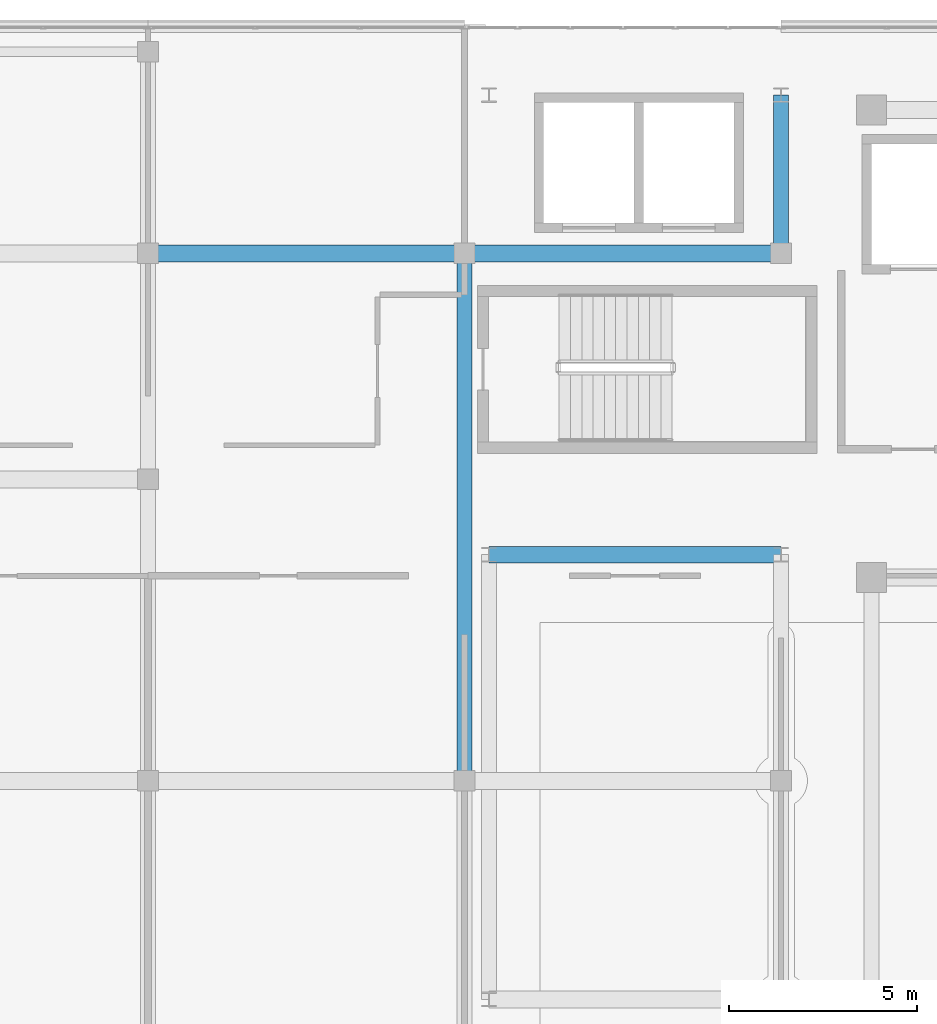
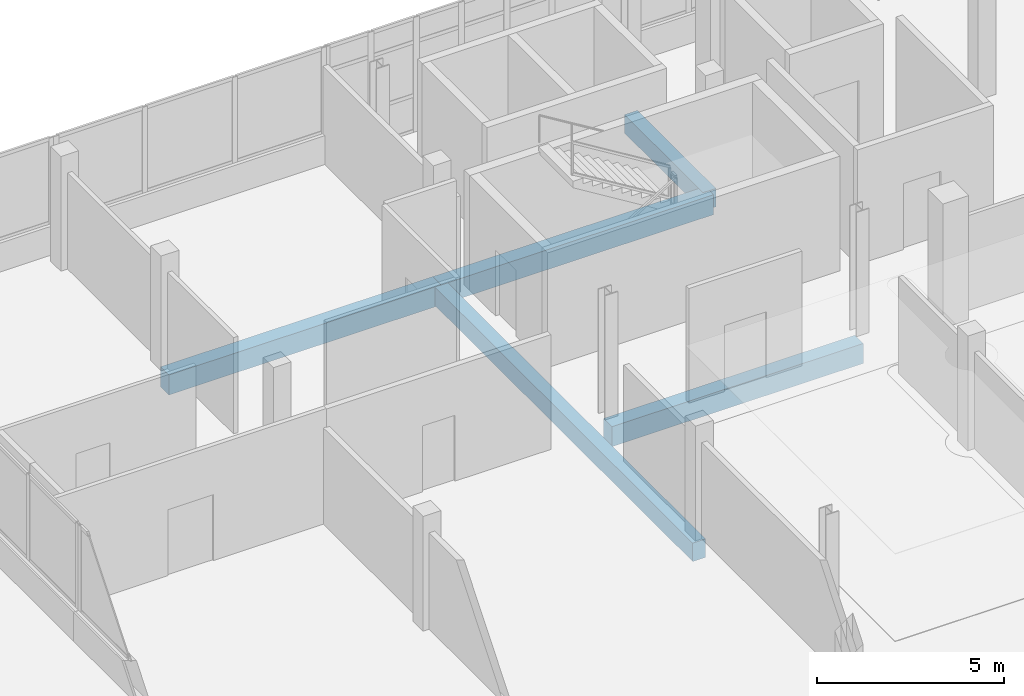
# One storey, part 15 of 67: 5 beams.
"""IFC4 building model written with IfcOpenShell, lengths in metres."""

from ifc_helpers import new_model, si_unit, direction, frame, origin, origin_2d, place, context, subcontext, project, spatial, rectangle, extrude, material, material_profile, profile_set, type_object, element, save


model = new_model("IFC4")

# Units and contexts
model_context = context("Model", 3, precision=1e-05, world=origin(), true_north=direction((0.0, 1.0)))
body_context = subcontext(model_context, "Body", "Model", "MODEL_VIEW")
ifc_project = project(units=[si_unit("LENGTHUNIT", "METRE"), si_unit("AREAUNIT", "SQUARE_METRE"), si_unit("VOLUMEUNIT", "CUBIC_METRE"), si_unit("PLANEANGLEUNIT", "RADIAN"), si_unit("MASSUNIT", "GRAM", prefix="KILO")], contexts=[model_context])

# Site, building, storey
site_placement = place(None, origin())
site = spatial("IfcSite", under=ifc_project, at=site_placement, CompositionType="ELEMENT")
building_placement = place(site_placement, origin())
building = spatial("IfcBuilding", under=site, at=building_placement, Name="Selatvlak General Hospital", CompositionType="ELEMENT")
storey_placement = place(building_placement, frame((0.0, 0.0, 35.39990234375)))
storey = spatial("IfcBuildingStorey", under=building, at=storey_placement, Name="L08", CompositionType="ELEMENT", Elevation=35.39990234375)

# Beams
ifc_material = material(Name="Concrete C40/50", Category="concrete")
ifc_material_profile_1 = material_profile(ifc_material, rectangle(XDim=0.449951171875, YDim=0.64990234375, at=origin_2d()), Name="RC-BM 450x650")
ifc_profile_set_1 = profile_set([ifc_material_profile_1], Name="Concrete C40/50")
beam_type_1 = type_object("IfcBeamType", Name="BM-G04", PredefinedType="BEAM", material=ifc_profile_set_1)
beam_1_placement = place(storey_placement, frame((48.64990234375, 106.0, -0.58984375), z_axis=(1.0, 0.0, 0.0), x_axis=(0.0, 1.0, 0.0)))
element("IfcBeam", 1, at=beam_1_placement, inside=storey, type_object=beam_type_1, Name="Beam BMR-L08-2605", PredefinedType="BEAM", context=body_context, shape_type="SweptSolid", body=[
    extrude(rectangle(XDim=0.449951171875, YDim=0.64990234375, at=origin_2d()), origin(), (0.0, 0.0, 1.0), 7.75),
])
for number, where, z_axis, x_axis, name in (
    (2, (39.60009765625, 114.0, -0.58984375), (1.0, 0.0, 0.0), (0.0, 1.0, 0.0), "Beam BMR-L08-2619"),
    (3, (48.0, 114.0, -0.58984375), (1.0, 0.0, 0.0), (0.0, 1.0, 0.0), "Beam BMR-L08-2620"),
):
    element("IfcBeam", number, at=place(storey_placement, frame(where, z_axis=z_axis, x_axis=x_axis)), inside=storey, type_object=beam_type_1, Name=name, PredefinedType="BEAM", context=body_context, shape_type="SweptSolid", body=[
        extrude(rectangle(XDim=0.449951171875, YDim=0.64990234375, at=origin_2d()), origin(), (0.0, 0.0, 1.0), 8.39990234375),
    ])
ifc_material_profile_2 = material_profile(ifc_material, rectangle(XDim=0.39990234375, YDim=0.60009765625, at=origin_2d()), Name="RC-BM 400x600")
ifc_profile_set_2 = profile_set([ifc_material_profile_2], Name="Concrete C40/50")
beam_type_2 = type_object("IfcBeamType", Name="BM-G05", PredefinedType="BEAM", material=ifc_profile_set_2)
beam_2_placement = place(storey_placement, frame((48.0, 100.0, -0.56494140625), z_axis=(0.0, 1.0, 0.0), x_axis=(-1.0, 0.0, 0.0)))
element("IfcBeam", 4, at=beam_2_placement, inside=storey, type_object=beam_type_2, Name="Beam BMR-L08-2646", PredefinedType="BEAM", context=body_context, shape_type="SweptSolid", body=[
    extrude(rectangle(XDim=0.39990234375, YDim=0.60009765625, at=origin_2d()), origin(), (0.0, 0.0, 1.0), 14.0),
])
beam_3_placement = place(storey_placement, frame((56.39990234375, 114.0, -0.56494140625), z_axis=(0.0, 1.0, 0.0), x_axis=(-1.0, 0.0, 0.0)))
element("IfcBeam", 5, at=beam_3_placement, inside=storey, type_object=beam_type_2, Name="Beam BMR-L08-2652", PredefinedType="BEAM", context=body_context, shape_type="SweptSolid", body=[
    extrude(rectangle(XDim=0.39990234375, YDim=0.60009765625, at=origin_2d()), origin(), (0.0, 0.0, 1.0), 4.199951171875),
])

save(model, "model.ifc")
